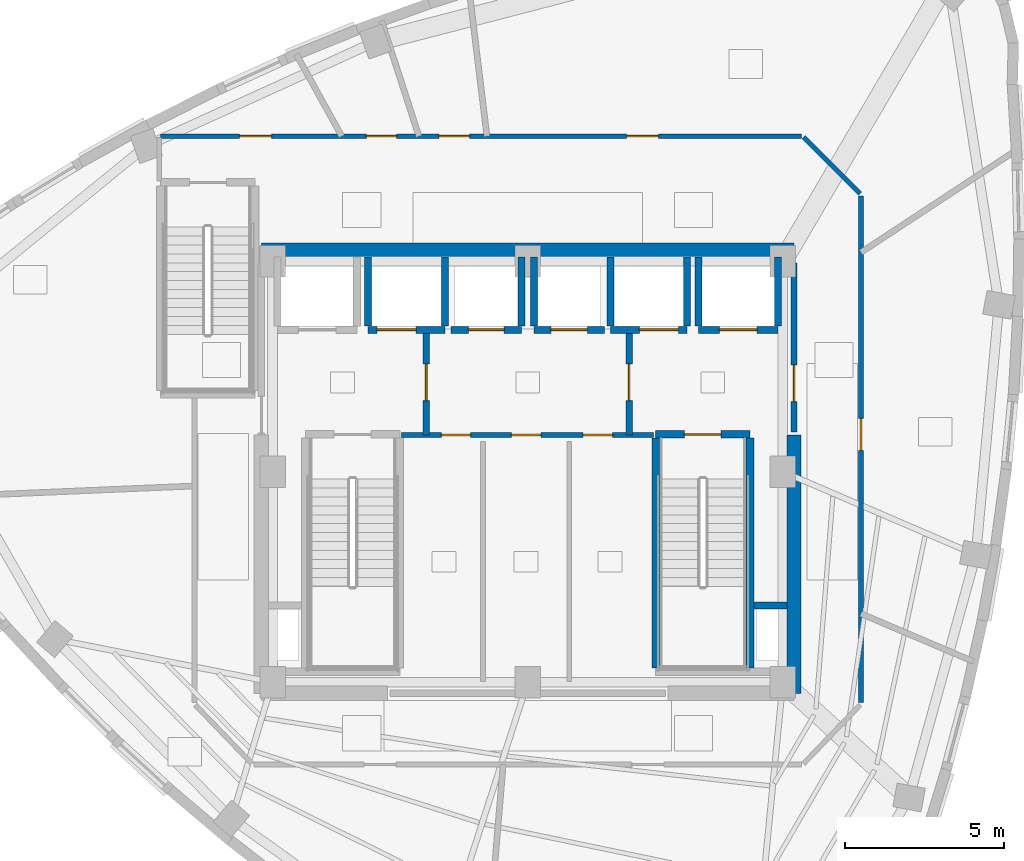
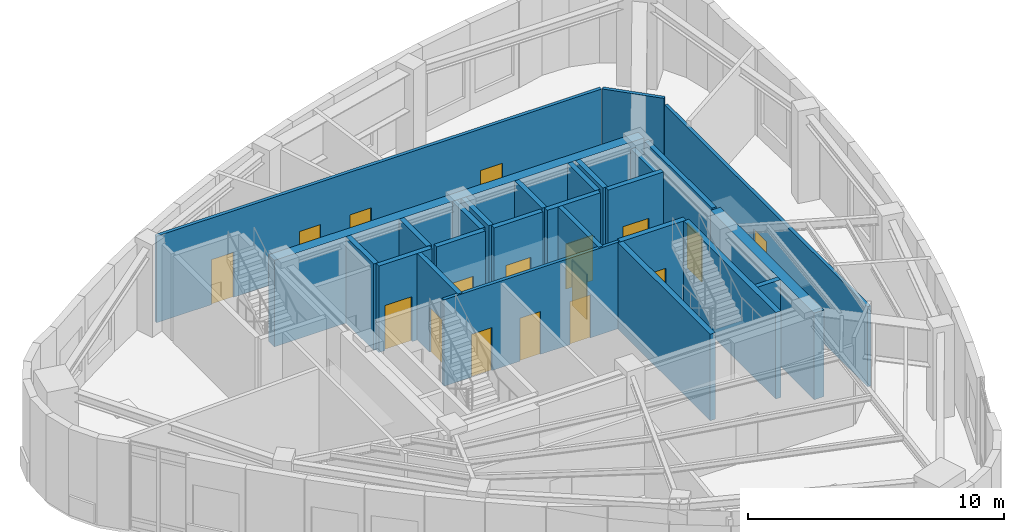
# One storey, part 9 of 14: 26 walls, 17 doors, 17 openings.
"""IFC4 building model written with IfcOpenShell, lengths in metres."""

from ifc_helpers import new_model, si_unit, direction, frame, frame_2d, origin, place, context, subcontext, project, spatial, rectangle, extrude, material, layer, layer_set, type_object, element, fill, save


model = new_model("IFC4")

# Units and contexts
model_context = context("Model", 3, precision=1e-05, world=origin(), true_north=direction((0.0, 1.0)))
body_context = subcontext(model_context, "Body", "Model", "MODEL_VIEW")
ifc_project = project(units=[si_unit("LENGTHUNIT", "METRE"), si_unit("AREAUNIT", "SQUARE_METRE"), si_unit("VOLUMEUNIT", "CUBIC_METRE"), si_unit("PLANEANGLEUNIT", "RADIAN"), si_unit("MASSUNIT", "GRAM", prefix="KILO")], contexts=[model_context])

# Site, building, storey
site_placement = place(None, origin())
site = spatial("IfcSite", under=ifc_project, at=site_placement, CompositionType="ELEMENT")
building_placement = place(site_placement, origin())
building = spatial("IfcBuilding", under=site, at=building_placement, Name="Ndelora Gate Hotel", CompositionType="ELEMENT")
storey_placement = place(building_placement, frame((0.0, 0.0, 281.60009765625)))
storey = spatial("IfcBuildingStorey", under=building, at=storey_placement, Name="L70", CompositionType="ELEMENT", Elevation=281.60009765625)

# Walls
ifc_material_1 = material(Name="Concrete C50/60", Category="concrete")
ifc_layer_1 = layer(ifc_material_1, 0.449951171875)
ifc_layer_set_1 = layer_set([ifc_layer_1], Name="Concrete C50/60")
wall_type_1 = type_object("IfcWallType", Name="WL-CORE-450", PredefinedType="SHEAR", material=ifc_layer_set_1)
wall_1_placement = place(storey_placement, frame((-8.35009765625, 6.949951171875, 0.0), z_axis=(0.0, 0.0, 1.0), x_axis=(1.0, 0.0, 0.0)))
element("IfcWall", 1, at=wall_1_placement, inside=storey, type_object=wall_type_1, Name="L70 Core Shear Wall N", PredefinedType="SHEAR", context=body_context, shape_type="SweptSolid", body=[
    extrude(rectangle(XDim=16.7001953125, YDim=0.449951171875, at=frame_2d((8.35009765625, 0.0))), origin(), (0.0, 0.0, 1.0), 4.1298828125),
])
wall_2_placement = place(storey_placement, frame((8.35009765625, -6.949951171875, 0.0), z_axis=(0.0, 0.0, 1.0), x_axis=(0.0, 1.0, 0.0)))
element("IfcWall", 2, at=wall_2_placement, inside=storey, type_object=wall_type_1, Name="L70 Core Shear Wall E", PredefinedType="SHEAR", context=body_context, shape_type="SweptSolid", body=[
    extrude(rectangle(XDim=8.099853515625, YDim=0.449951171875, at=frame_2d((4.0498046875, 0.0))), origin(), (0.0, 0.0, 1.0), 4.1298828125),
])

# Wall, opening, door
ifc_material_2 = material(Name="Concrete C40/50", Category="concrete")
ifc_layer_2 = layer(ifc_material_2, 0.199951171875)
ifc_layer_set_2 = layer_set([ifc_layer_2], Name="Concrete C40/50")
wall_type_2 = type_object("IfcWallType", Name="WL-FIRE-200", PredefinedType="PARTITIONING", material=ifc_layer_set_2)
wall_3_placement = place(storey_placement, frame((-3.179931640625, 1.14990234375, 0.0), z_axis=(0.0, 0.0, 1.0), x_axis=(0.0, 1.0, 0.0)))
wall_3 = element("IfcWall", 3, at=wall_3_placement, inside=storey, type_object=wall_type_2, Name="L70 Interior Wall IW-2", PredefinedType="PARTITIONING", context=body_context, shape_type="SweptSolid", body=[
    extrude(rectangle(XDim=3.300048828125, YDim=0.199951171875, at=frame_2d((1.64990234375, 0.0))), origin(), (0.0, 0.0, 1.0), 4.1298828125),
])
opening_1_placement = place(wall_3_placement, frame((1.080078125, 0.0, 0.0)))
opening_1 = element("IfcOpeningElement", 4, at=opening_1_placement, cuts=wall_3, Name="Opening FD1", PredefinedType="OPENING", context=body_context, shape_type="SweptSolid", body=[
    extrude(rectangle(XDim=1.14990234375, YDim=2.14990234375, at=frame_2d((0.574951171875, 1.074951171875))), frame((0.0, 0.10986328125, 0.0), z_axis=(0.0, -1.0, 0.0), x_axis=(1.0, 0.0, 0.0)), (0.0, 0.0, 1.0), 0.219970703125),
])
ifc_material_3 = material(Name="Fire-Rated Timber-Veneer Steel Core", Category="steel")
door_type_1 = type_object("IfcDoorType", Name="DR-FD60", OperationType="SINGLE_SWING_LEFT", PredefinedType="DOOR", material=ifc_material_3)
door_1_placement = place(opening_1_placement, origin())
door_1 = element("IfcDoor", 5, at=door_1_placement, inside=storey, type_object=door_type_1, Name="L70 Firefighting Lobby West Door", OperationType="SINGLE_SWING_RIGHT", OverallHeight=2.14990234375, OverallWidth=1.14990234375, PredefinedType="DOOR", context=body_context, shape_type="SweptSolid", body=[
    extrude(rectangle(XDim=1.14990234375, YDim=2.14990234375, at=frame_2d((0.574951171875, 1.074951171875))), frame((0.0, 0.02490234375, 0.0), z_axis=(0.0, -1.0, 0.0), x_axis=(1.0, 0.0, 0.0)), (0.0, 0.0, 1.0), 0.050048828125),
])
fill(opening_1, door_1)

wall_4_placement = place(storey_placement, frame((3.179931640625, 1.14990234375, 0.0), z_axis=(0.0, 0.0, 1.0), x_axis=(0.0, 1.0, 0.0)))
wall_4 = element("IfcWall", 6, at=wall_4_placement, inside=storey, type_object=wall_type_2, Name="L70 Interior Wall IW-2", PredefinedType="PARTITIONING", context=body_context, shape_type="SweptSolid", body=[
    extrude(rectangle(XDim=3.300048828125, YDim=0.199951171875, at=frame_2d((1.64990234375, 0.0))), origin(), (0.0, 0.0, 1.0), 4.1298828125),
])
opening_2_placement = place(wall_4_placement, frame((1.080078125, 0.0, 0.0)))
opening_2 = element("IfcOpeningElement", 7, at=opening_2_placement, cuts=wall_4, Name="Opening FD1", PredefinedType="OPENING", context=body_context, shape_type="SweptSolid", body=[
    extrude(rectangle(XDim=1.14990234375, YDim=2.14990234375, at=frame_2d((0.574951171875, 1.074951171875))), frame((0.0, 0.10986328125, 0.0), z_axis=(0.0, -1.0, 0.0), x_axis=(1.0, 0.0, 0.0)), (0.0, 0.0, 1.0), 0.219970703125),
])
door_2_placement = place(opening_2_placement, origin())
door_2 = element("IfcDoor", 8, at=door_2_placement, inside=storey, type_object=door_type_1, Name="L70 Firefighting Lobby East Door", OperationType="SINGLE_SWING_LEFT", OverallHeight=2.14990234375, OverallWidth=1.14990234375, PredefinedType="DOOR", context=body_context, shape_type="SweptSolid", body=[
    extrude(rectangle(XDim=1.14990234375, YDim=2.14990234375, at=frame_2d((0.574951171875, 1.074951171875))), frame((0.0, 0.02490234375, 0.0), z_axis=(0.0, -1.0, 0.0), x_axis=(1.0, 0.0, 0.0)), (0.0, 0.0, 1.0), 0.050048828125),
])
fill(opening_2, door_2)

wall_5_placement = place(storey_placement, frame((8.35009765625, 1.25, 0.0), z_axis=(0.0, 0.0, 1.0), x_axis=(0.0, 1.0, 0.0)))
wall_5 = element("IfcWall", 9, at=wall_5_placement, inside=storey, type_object=wall_type_2, Name="L70 Interior Wall IW-2", PredefinedType="PARTITIONING", context=body_context, shape_type="SweptSolid", body=[
    extrude(rectangle(XDim=5.300048828125, YDim=0.199951171875, at=frame_2d((2.64990234375, 0.0))), origin(), (0.0, 0.0, 1.0), 4.1298828125),
])
opening_3_placement = place(wall_5_placement, frame((0.949951171875, 0.0, 0.0)))
opening_3 = element("IfcOpeningElement", 10, at=opening_3_placement, cuts=wall_5, Name="Opening FD1", PredefinedType="OPENING", context=body_context, shape_type="SweptSolid", body=[
    extrude(rectangle(XDim=1.14990234375, YDim=2.14990234375, at=frame_2d((0.574951171875, 1.074951171875))), frame((0.0, 0.10986328125, 0.0), z_axis=(0.0, -1.0, 0.0), x_axis=(1.0, 0.0, 0.0)), (0.0, 0.0, 1.0), 0.219970703125),
])
door_3_placement = place(opening_3_placement, origin())
door_3 = element("IfcDoor", 11, at=door_3_placement, inside=storey, type_object=door_type_1, Name="L70 Firefighting Lobby East Corridor Door", OperationType="SINGLE_SWING_RIGHT", OverallHeight=2.14990234375, OverallWidth=1.14990234375, PredefinedType="DOOR", context=body_context, shape_type="SweptSolid", body=[
    extrude(rectangle(XDim=1.14990234375, YDim=2.14990234375, at=frame_2d((0.574951171875, 1.074951171875))), frame((0.0, 0.02490234375, 0.0), z_axis=(0.0, -1.0, 0.0), x_axis=(1.0, 0.0, 0.0)), (0.0, 0.0, 1.0), 0.050048828125),
])
fill(opening_3, door_3)

# Wall, openings, doors
ifc_material_4 = material(Name="Fire-Rated Gypsum Stud Partition", Category="gypsum")
ifc_layer_3 = layer(ifc_material_4, 0.14990234375)
ifc_layer_set_3 = layer_set([ifc_layer_3], Name="Fire-Rated Gypsum Stud Partition")
wall_type_3 = type_object("IfcWallType", Name="WL-PART-150", PredefinedType="PARTITIONING", material=ifc_layer_set_3)
wall_6_placement = place(storey_placement, frame((3.949951171875, 1.14990234375, 0.0), z_axis=(0.0, 0.0, 1.0), x_axis=(-1.0, 0.0, 0.0)))
wall_6 = element("IfcWall", 12, at=wall_6_placement, inside=storey, type_object=wall_type_3, Name="L70 Interior Wall IW-5", PredefinedType="PARTITIONING", context=body_context, shape_type="SweptSolid", body=[
    extrude(rectangle(XDim=7.89990234375, YDim=0.14990234375, at=frame_2d((3.949951171875, 0.0))), origin(), (0.0, 0.0, 1.0), 4.1298828125),
])
opening_4_placement = place(wall_6_placement, frame((5.739990234375, 0.0, 0.0)))
opening_4 = element("IfcOpeningElement", 13, at=opening_4_placement, cuts=wall_6, Name="Opening D04", PredefinedType="OPENING", context=body_context, shape_type="SweptSolid", body=[
    extrude(rectangle(XDim=0.919921875, YDim=2.050048828125, at=frame_2d((0.4599609375, 1.02490234375))), frame((0.0, 0.0849609375, 0.0), z_axis=(0.0, -1.0, 0.0), x_axis=(1.0, 0.0, 0.0)), (0.0, 0.0, 1.0), 0.169921875),
])
opening_5_placement = place(wall_6_placement, frame((3.5400390625, 0.0, 0.0)))
opening_5 = element("IfcOpeningElement", 14, at=opening_5_placement, cuts=wall_6, Name="Opening D04", PredefinedType="OPENING", context=body_context, shape_type="SweptSolid", body=[
    extrude(rectangle(XDim=0.919921875, YDim=2.050048828125, at=frame_2d((0.4599609375, 1.02490234375))), frame((0.0, 0.0849609375, 0.0), z_axis=(0.0, -1.0, 0.0), x_axis=(1.0, 0.0, 0.0)), (0.0, 0.0, 1.0), 0.169921875),
])
opening_6_placement = place(wall_6_placement, frame((1.2900390625, 0.0, 0.0)))
opening_6 = element("IfcOpeningElement", 15, at=opening_6_placement, cuts=wall_6, Name="Opening D04", PredefinedType="OPENING", context=body_context, shape_type="SweptSolid", body=[
    extrude(rectangle(XDim=0.919921875, YDim=2.050048828125, at=frame_2d((0.4599609375, 1.02490234375))), frame((0.0, 0.0849609375, 0.0), z_axis=(0.0, -1.0, 0.0), x_axis=(1.0, 0.0, 0.0)), (0.0, 0.0, 1.0), 0.169921875),
])
ifc_material_5 = material(Name="Painted Steel Core Service Door", Category="steel")
door_type_2 = type_object("IfcDoorType", Name="DR-SER-920", OperationType="SINGLE_SWING_LEFT", PredefinedType="DOOR", material=ifc_material_5)
door_4_placement = place(opening_4_placement, origin())
door_4 = element("IfcDoor", 16, at=door_4_placement, inside=storey, type_object=door_type_2, Name="L70 Core Cleaners Store Door", OperationType="SINGLE_SWING_LEFT", OverallHeight=2.050048828125, OverallWidth=0.919921875, PredefinedType="DOOR", context=body_context, shape_type="SweptSolid", body=[
    extrude(rectangle(XDim=0.919921875, YDim=2.050048828125, at=frame_2d((0.4599609375, 1.02490234375))), frame((0.0, 0.02490234375, 0.0), z_axis=(0.0, -1.0, 0.0), x_axis=(1.0, 0.0, 0.0)), (0.0, 0.0, 1.0), 0.050048828125),
])
fill(opening_4, door_4)
door_5_placement = place(opening_5_placement, origin())
door_5 = element("IfcDoor", 17, at=door_5_placement, inside=storey, type_object=door_type_2, Name="L70 Core Telecoms Equipment Room Door", OperationType="SINGLE_SWING_RIGHT", OverallHeight=2.050048828125, OverallWidth=0.919921875, PredefinedType="DOOR", context=body_context, shape_type="SweptSolid", body=[
    extrude(rectangle(XDim=0.919921875, YDim=2.050048828125, at=frame_2d((0.4599609375, 1.02490234375))), frame((0.0, 0.02490234375, 0.0), z_axis=(0.0, -1.0, 0.0), x_axis=(1.0, 0.0, 0.0)), (0.0, 0.0, 1.0), 0.050048828125),
])
fill(opening_5, door_5)
door_6_placement = place(opening_6_placement, origin())
door_6 = element("IfcDoor", 18, at=door_6_placement, inside=storey, type_object=door_type_2, Name="L70 Core Electrical Metering Room Door", OperationType="SINGLE_SWING_LEFT", OverallHeight=2.050048828125, OverallWidth=0.919921875, PredefinedType="DOOR", context=body_context, shape_type="SweptSolid", body=[
    extrude(rectangle(XDim=0.919921875, YDim=2.050048828125, at=frame_2d((0.4599609375, 1.02490234375))), frame((0.0, 0.02490234375, 0.0), z_axis=(0.0, -1.0, 0.0), x_axis=(1.0, 0.0, 0.0)), (0.0, 0.0, 1.0), 0.050048828125),
])
fill(opening_6, door_6)

# Wall, opening, door
wall_7_placement = place(storey_placement, frame((10.449951171875, 8.64990234375, 0.0), z_axis=(0.0, 0.0, 1.0), x_axis=(0.0, -1.0, 0.0)))
wall_7 = element("IfcWall", 19, at=wall_7_placement, inside=storey, type_object=wall_type_3, Name="L70 Interior Wall IW-5", PredefinedType="PARTITIONING", context=body_context, shape_type="SweptSolid", body=[
    extrude(rectangle(XDim=15.889892578125, YDim=0.14990234375, at=frame_2d((7.94482421875, 0.0))), origin(), (0.0, 0.0, 1.0), 3.829833984375),
])
opening_7_placement = place(wall_7_placement, frame((6.978271484375, 0.0, 0.0)))
opening_7 = element("IfcOpeningElement", 20, at=opening_7_placement, cuts=wall_7, Name="Opening D01", PredefinedType="OPENING", context=body_context, shape_type="SweptSolid", body=[
    extrude(rectangle(XDim=1.0, YDim=2.14990234375, at=frame_2d((0.5, 1.074951171875))), frame((0.0, 0.0849609375, 0.0), z_axis=(0.0, -1.0, 0.0), x_axis=(1.0, 0.0, 0.0)), (0.0, 0.0, 1.0), 0.169921875),
])
ifc_material_6 = material(Name="Acoustic Hardwood Guest Entrance Door", Category="wood")
door_type_3 = type_object("IfcDoorType", Name="DR-COR-1000", OperationType="SINGLE_SWING_LEFT", PredefinedType="DOOR", material=ifc_material_6)
door_7_placement = place(opening_7_placement, origin())
door_7 = element("IfcDoor", 21, at=door_7_placement, inside=storey, type_object=door_type_3, Name="L70 Mixology Service Kitchen Entrance Door", OperationType="SINGLE_SWING_RIGHT", OverallHeight=2.14990234375, OverallWidth=1.0, PredefinedType="DOOR", context=body_context, shape_type="SweptSolid", body=[
    extrude(rectangle(XDim=1.0, YDim=2.14990234375, at=frame_2d((0.5, 1.074951171875))), frame((0.0, 0.02490234375, 0.0), z_axis=(0.0, -1.0, 0.0), x_axis=(1.0, 0.0, 0.0)), (0.0, 0.0, 1.0), 0.050048828125),
])
fill(opening_7, door_7)

# Wall
wall_8_placement = place(storey_placement, frame((8.648193359375, 10.49169921875, 0.0), z_axis=(0.0, 0.0, 1.0), x_axis=(0.707106781187, -0.707106781187, 0.0)))
element("IfcWall", 22, at=wall_8_placement, inside=storey, type_object=wall_type_3, Name="L70 Interior Wall IW-5", PredefinedType="PARTITIONING", context=body_context, shape_type="SweptSolid", body=[
    extrude(rectangle(XDim=2.508056640625, YDim=0.14990234375, at=frame_2d((1.25390625, 0.0))), origin(), (0.0, 0.0, 1.0), 4.1298828125),
])

# Wall, openings, doors
wall_9_placement = place(storey_placement, frame((-11.510009765625, 10.52001953125, 0.0), z_axis=(0.0, 0.0, 1.0), x_axis=(1.0, 0.0, 0.0)))
wall_9 = element("IfcWall", 23, at=wall_9_placement, inside=storey, type_object=wall_type_3, Name="L70 Interior Wall IW-5", PredefinedType="PARTITIONING", context=body_context, shape_type="SweptSolid", body=[
    extrude(rectangle(XDim=20.090087890625, YDim=0.14990234375, at=frame_2d((10.044921875, 0.0))), origin(), (0.0, 0.0, 1.0), 4.1298828125),
])
opening_8_placement = place(wall_9_placement, frame((6.4521484375, 0.0, 0.0)))
opening_8 = element("IfcOpeningElement", 24, at=opening_8_placement, cuts=wall_9, Name="Opening D05", PredefinedType="OPENING", context=body_context, shape_type="SweptSolid", body=[
    extrude(rectangle(XDim=0.949951171875, YDim=2.10009765625, at=frame_2d((0.47509765625, 1.050048828125))), frame((0.0, 0.0849609375, 0.0), z_axis=(0.0, -1.0, 0.0), x_axis=(1.0, 0.0, 0.0)), (0.0, 0.0, 1.0), 0.169921875),
])
opening_9_placement = place(wall_9_placement, frame((8.73583984375, 0.0, 0.0)))
opening_9 = element("IfcOpeningElement", 25, at=opening_9_placement, cuts=wall_9, Name="Opening D05", PredefinedType="OPENING", context=body_context, shape_type="SweptSolid", body=[
    extrude(rectangle(XDim=0.949951171875, YDim=2.10009765625, at=frame_2d((0.47509765625, 1.050048828125))), frame((0.0, 0.0849609375, 0.0), z_axis=(0.0, -1.0, 0.0), x_axis=(1.0, 0.0, 0.0)), (0.0, 0.0, 1.0), 0.169921875),
])
opening_10_placement = place(wall_9_placement, frame((2.479248046875, 0.0, 0.0)))
opening_10 = element("IfcOpeningElement", 26, at=opening_10_placement, cuts=wall_9, Name="Opening D01", PredefinedType="OPENING", context=body_context, shape_type="SweptSolid", body=[
    extrude(rectangle(XDim=1.0, YDim=2.14990234375, at=frame_2d((0.5, 1.074951171875))), frame((0.0, 0.0849609375, 0.0), z_axis=(0.0, -1.0, 0.0), x_axis=(1.0, 0.0, 0.0)), (0.0, 0.0, 1.0), 0.169921875),
])
opening_11_placement = place(wall_9_placement, frame((14.610107421875, 0.0, 0.0)))
opening_11 = element("IfcOpeningElement", 27, at=opening_11_placement, cuts=wall_9, Name="Opening D01", PredefinedType="OPENING", context=body_context, shape_type="SweptSolid", body=[
    extrude(rectangle(XDim=1.0, YDim=2.14990234375, at=frame_2d((0.5, 1.074951171875))), frame((0.0, 0.0849609375, 0.0), z_axis=(0.0, -1.0, 0.0), x_axis=(1.0, 0.0, 0.0)), (0.0, 0.0, 1.0), 0.169921875),
])
ifc_material_7 = material(Name="Accessible Restroom Wide-Clearance Door", Category="wood")
door_type_4 = type_object("IfcDoorType", Name="DR-ACC-950", OperationType="SINGLE_SWING_LEFT", PredefinedType="DOOR", material=ifc_material_7)
door_8_placement = place(opening_8_placement, origin())
door_8 = element("IfcDoor", 28, at=door_8_placement, inside=storey, type_object=door_type_4, Name="L70 Accessible WC Entrance Door", OperationType="SINGLE_SWING_RIGHT", OverallHeight=2.10009765625, OverallWidth=0.949951171875, PredefinedType="DOOR", context=body_context, shape_type="SweptSolid", body=[
    extrude(rectangle(XDim=0.949951171875, YDim=2.10009765625, at=frame_2d((0.47509765625, 1.050048828125))), frame((0.0, 0.02490234375, 0.0), z_axis=(0.0, -1.0, 0.0), x_axis=(1.0, 0.0, 0.0)), (0.0, 0.0, 1.0), 0.050048828125),
])
fill(opening_8, door_8)
door_9_placement = place(opening_9_placement, origin())
door_9 = element("IfcDoor", 29, at=door_9_placement, inside=storey, type_object=door_type_4, Name="L70 Female Public Restroom Entrance Door", OperationType="SINGLE_SWING_LEFT", OverallHeight=2.10009765625, OverallWidth=0.949951171875, PredefinedType="DOOR", context=body_context, shape_type="SweptSolid", body=[
    extrude(rectangle(XDim=0.949951171875, YDim=2.10009765625, at=frame_2d((0.47509765625, 1.050048828125))), frame((0.0, 0.02490234375, 0.0), z_axis=(0.0, -1.0, 0.0), x_axis=(1.0, 0.0, 0.0)), (0.0, 0.0, 1.0), 0.050048828125),
])
fill(opening_9, door_9)
door_10_placement = place(opening_10_placement, origin())
door_10 = element("IfcDoor", 30, at=door_10_placement, inside=storey, type_object=door_type_3, Name="L70 Sky Garden Tea Dining Room Entrance Door", OperationType="SINGLE_SWING_LEFT", OverallHeight=2.14990234375, OverallWidth=1.0, PredefinedType="DOOR", context=body_context, shape_type="SweptSolid", body=[
    extrude(rectangle(XDim=1.0, YDim=2.14990234375, at=frame_2d((0.5, 1.074951171875))), frame((0.0, 0.02490234375, 0.0), z_axis=(0.0, -1.0, 0.0), x_axis=(1.0, 0.0, 0.0)), (0.0, 0.0, 1.0), 0.050048828125),
])
fill(opening_10, door_10)
door_11_placement = place(opening_11_placement, origin())
door_11 = element("IfcDoor", 31, at=door_11_placement, inside=storey, type_object=door_type_3, Name="L70 Acoustic Jazz Library Entrance Door", OperationType="SINGLE_SWING_LEFT", OverallHeight=2.14990234375, OverallWidth=1.0, PredefinedType="DOOR", context=body_context, shape_type="SweptSolid", body=[
    extrude(rectangle(XDim=1.0, YDim=2.14990234375, at=frame_2d((0.5, 1.074951171875))), frame((0.0, 0.02490234375, 0.0), z_axis=(0.0, -1.0, 0.0), x_axis=(1.0, 0.0, 0.0)), (0.0, 0.0, 1.0), 0.050048828125),
])
fill(opening_11, door_11)

# Wall
ifc_layer_4 = layer(ifc_material_2, 0.219970703125)
ifc_layer_set_4 = layer_set([ifc_layer_4], Name="Concrete C40/50")
wall_type_4 = type_object("IfcWallType", Name="WL-SHAFT-220", PredefinedType="PARTITIONING", material=ifc_layer_set_4)
wall_10_placement = place(storey_placement, frame((7.090087890625, -4.199951171875, 0.0), z_axis=(0.0, 0.0, 1.0), x_axis=(1.0, 0.0, 0.0)))
element("IfcWall", 32, at=wall_10_placement, inside=storey, type_object=wall_type_4, Name="L70 Interior Wall IW-1", PredefinedType="PARTITIONING", context=body_context, shape_type="SweptSolid", body=[
    extrude(rectangle(XDim=1.034912109375, YDim=0.219970703125, at=frame_2d((0.517578125, 0.0))), origin(), (0.0, 0.0, 1.0), 4.1298828125),
])

# Wall, opening, door
wall_11_placement = place(storey_placement, frame((5.35009765625, 4.449951171875, 0.0), z_axis=(0.0, 0.0, 1.0), x_axis=(1.0, 0.0, 0.0)))
wall_11 = element("IfcWall", 33, at=wall_11_placement, inside=storey, type_object=wall_type_4, Name="L70 Interior Wall IW-1", PredefinedType="PARTITIONING", context=body_context, shape_type="SweptSolid", body=[
    extrude(rectangle(XDim=2.5, YDim=0.219970703125, at=frame_2d((1.25, 0.0))), origin(), (0.0, 0.0, 1.0), 4.1298828125),
])
opening_12_placement = place(wall_11_placement, frame((0.659912109375, 0.0, 0.0)))
opening_12 = element("IfcOpeningElement", 34, at=opening_12_placement, cuts=wall_11, Name="Opening LD5", PredefinedType="OPENING", context=body_context, shape_type="SweptSolid", body=[
    extrude(rectangle(XDim=1.179931640625, YDim=2.14990234375, at=frame_2d((0.58984375, 1.074951171875))), frame((0.0, 0.1201171875, 0.0), z_axis=(0.0, -1.0, 0.0), x_axis=(1.0, 0.0, 0.0)), (0.0, 0.0, 1.0), 0.239990234375),
])
ifc_material_8 = material(Name="Firefighting Lift Stainless Sliding Landing Door", Category="metal")
door_type_5 = type_object("IfcDoorType", Name="DR-LD5", OperationType="DOUBLE_DOOR_SLIDING", PredefinedType="DOOR", material=ifc_material_8)
door_12_placement = place(opening_12_placement, origin())
door_12 = element("IfcDoor", 35, at=door_12_placement, inside=storey, type_object=door_type_5, Name="L70 Lift Landing Sliding Door FFL2", OperationType="DOUBLE_DOOR_SLIDING", OverallHeight=2.14990234375, OverallWidth=1.179931640625, PredefinedType="DOOR", context=body_context, shape_type="SweptSolid", body=[
    extrude(rectangle(XDim=1.179931640625, YDim=2.14990234375, at=frame_2d((0.58984375, 1.074951171875))), frame((0.0, 0.02490234375, 0.0), z_axis=(0.0, -1.0, 0.0), x_axis=(1.0, 0.0, 0.0)), (0.0, 0.0, 1.0), 0.050048828125),
])
fill(opening_12, door_12)

# Walls
wall_12_placement = place(storey_placement, frame((5.35009765625, 4.570068359375, 0.0), z_axis=(0.0, 0.0, 1.0), x_axis=(0.0, 1.0, 0.0)))
element("IfcWall", 36, at=wall_12_placement, inside=storey, type_object=wall_type_4, Name="L70 Interior Wall IW-1", PredefinedType="PARTITIONING", context=body_context, shape_type="SweptSolid", body=[
    extrude(rectangle(XDim=2.155029296875, YDim=0.219970703125, at=frame_2d((1.07763671875, 0.0))), origin(), (0.0, 0.0, 1.0), 4.1298828125),
])
wall_13_placement = place(storey_placement, frame((7.85009765625, 4.570068359375, 0.0), z_axis=(0.0, 0.0, 1.0), x_axis=(0.0, 1.0, 0.0)))
element("IfcWall", 37, at=wall_13_placement, inside=storey, type_object=wall_type_4, Name="L70 Interior Wall IW-1", PredefinedType="PARTITIONING", context=body_context, shape_type="SweptSolid", body=[
    extrude(rectangle(XDim=2.155029296875, YDim=0.219970703125, at=frame_2d((1.07763671875, 0.0))), origin(), (0.0, 0.0, 1.0), 3.809814453125),
])

# Wall, opening, door
wall_14_placement = place(storey_placement, frame((-5.0, 4.449951171875, 0.0), z_axis=(0.0, 0.0, 1.0), x_axis=(1.0, 0.0, 0.0)))
wall_14 = element("IfcWall", 38, at=wall_14_placement, inside=storey, type_object=wall_type_4, Name="L70 Interior Wall IW-1", PredefinedType="PARTITIONING", context=body_context, shape_type="SweptSolid", body=[
    extrude(rectangle(XDim=2.39990234375, YDim=0.219970703125, at=frame_2d((1.199951171875, 0.0))), origin(), (0.0, 0.0, 1.0), 4.1298828125),
])
opening_13_placement = place(wall_14_placement, frame((0.280029296875, 0.0, 0.0)))
opening_13 = element("IfcOpeningElement", 39, at=opening_13_placement, cuts=wall_14, Name="Opening LD6", PredefinedType="OPENING", context=body_context, shape_type="SweptSolid", body=[
    extrude(rectangle(XDim=1.219970703125, YDim=2.14990234375, at=frame_2d((0.60986328125, 1.074951171875))), frame((0.0, 0.1201171875, 0.0), z_axis=(0.0, -1.0, 0.0), x_axis=(1.0, 0.0, 0.0)), (0.0, 0.0, 1.0), 0.239990234375),
])
ifc_material_9 = material(Name="Heavy-Duty Service Lift Sliding Landing Door", Category="wood")
door_type_6 = type_object("IfcDoorType", Name="DR-LD6", OperationType="DOUBLE_DOOR_SLIDING", PredefinedType="DOOR", material=ifc_material_9)
door_13_placement = place(opening_13_placement, origin())
door_13 = element("IfcDoor", 40, at=door_13_placement, inside=storey, type_object=door_type_6, Name="L70 Lift Landing Sliding Door SVL1", OperationType="DOUBLE_DOOR_SLIDING", OverallHeight=2.14990234375, OverallWidth=1.219970703125, PredefinedType="DOOR", context=body_context, shape_type="SweptSolid", body=[
    extrude(rectangle(XDim=1.219970703125, YDim=2.14990234375, at=frame_2d((0.60986328125, 1.074951171875))), frame((0.0, 0.02490234375, 0.0), z_axis=(0.0, -1.0, 0.0), x_axis=(1.0, 0.0, 0.0)), (0.0, 0.0, 1.0), 0.050048828125),
])
fill(opening_13, door_13)

# Walls
for number, where, z_axis, x_axis, name in (
    (41, (-5.0, 4.570068359375, 0.0), (0.0, 0.0, 1.0), (0.0, 1.0, 0.0), "L70 Interior Wall IW-1"),
    (42, (-2.60009765625, 4.570068359375, 0.0), (0.0, 0.0, 1.0), (0.0, 1.0, 0.0), "L70 Interior Wall IW-1"),
):
    element("IfcWall", number, at=place(storey_placement, frame(where, z_axis=z_axis, x_axis=x_axis)), inside=storey, type_object=wall_type_4, Name=name, PredefinedType="PARTITIONING", context=body_context, shape_type="SweptSolid", body=[
        extrude(rectangle(XDim=2.155029296875, YDim=0.219970703125, at=frame_2d((1.07763671875, 0.0))), origin(), (0.0, 0.0, 1.0), 4.1298828125),
    ])

# Wall, opening, door
wall_15_placement = place(storey_placement, frame((2.60009765625, 4.449951171875, 0.0), z_axis=(0.0, 0.0, 1.0), x_axis=(1.0, 0.0, 0.0)))
wall_15 = element("IfcWall", 43, at=wall_15_placement, inside=storey, type_object=wall_type_4, Name="L70 Interior Wall IW-1", PredefinedType="PARTITIONING", context=body_context, shape_type="SweptSolid", body=[
    extrude(rectangle(XDim=2.39990234375, YDim=0.219970703125, at=frame_2d((1.199951171875, 0.0))), origin(), (0.0, 0.0, 1.0), 4.1298828125),
])
opening_14_placement = place(wall_15_placement, frame((0.89990234375, 0.0, 0.0)))
opening_14 = element("IfcOpeningElement", 44, at=opening_14_placement, cuts=wall_15, Name="Opening LD6", PredefinedType="OPENING", context=body_context, shape_type="SweptSolid", body=[
    extrude(rectangle(XDim=1.219970703125, YDim=2.14990234375, at=frame_2d((0.60986328125, 1.074951171875))), frame((0.0, 0.1201171875, 0.0), z_axis=(0.0, -1.0, 0.0), x_axis=(1.0, 0.0, 0.0)), (0.0, 0.0, 1.0), 0.239990234375),
])
door_14_placement = place(opening_14_placement, origin())
door_14 = element("IfcDoor", 45, at=door_14_placement, inside=storey, type_object=door_type_6, Name="L70 Lift Landing Sliding Door SVL2", OperationType="DOUBLE_DOOR_SLIDING", OverallHeight=2.14990234375, OverallWidth=1.219970703125, PredefinedType="DOOR", context=body_context, shape_type="SweptSolid", body=[
    extrude(rectangle(XDim=1.219970703125, YDim=2.14990234375, at=frame_2d((0.60986328125, 1.074951171875))), frame((0.0, 0.02490234375, 0.0), z_axis=(0.0, -1.0, 0.0), x_axis=(1.0, 0.0, 0.0)), (0.0, 0.0, 1.0), 0.050048828125),
])
fill(opening_14, door_14)

# Walls
for number, where, z_axis, x_axis, name in (
    (46, (2.60009765625, 4.570068359375, 0.0), (0.0, 0.0, 1.0), (0.0, 1.0, 0.0), "L70 Interior Wall IW-1"),
    (47, (5.0, 4.570068359375, 0.0), (0.0, 0.0, 1.0), (0.0, 1.0, 0.0), "L70 Interior Wall IW-1"),
):
    element("IfcWall", number, at=place(storey_placement, frame(where, z_axis=z_axis, x_axis=x_axis)), inside=storey, type_object=wall_type_4, Name=name, PredefinedType="PARTITIONING", context=body_context, shape_type="SweptSolid", body=[
        extrude(rectangle(XDim=2.155029296875, YDim=0.219970703125, at=frame_2d((1.07763671875, 0.0))), origin(), (0.0, 0.0, 1.0), 4.1298828125),
    ])

# Wall, opening, door
wall_16_placement = place(storey_placement, frame((-2.39990234375, 4.449951171875, 0.0), z_axis=(0.0, 0.0, 1.0), x_axis=(1.0, 0.0, 0.0)))
wall_16 = element("IfcWall", 48, at=wall_16_placement, inside=storey, type_object=wall_type_4, Name="L70 Interior Wall IW-1", PredefinedType="PARTITIONING", context=body_context, shape_type="SweptSolid", body=[
    extrude(rectangle(XDim=2.199951171875, YDim=0.219970703125, at=frame_2d((1.10009765625, 0.0))), origin(), (0.0, 0.0, 1.0), 4.1298828125),
])
opening_15_placement = place(wall_16_placement, frame((0.5400390625, 0.0, 0.0)))
opening_15 = element("IfcOpeningElement", 49, at=opening_15_placement, cuts=wall_16, Name="Opening LD3", PredefinedType="OPENING", context=body_context, shape_type="SweptSolid", body=[
    extrude(rectangle(XDim=1.1201171875, YDim=2.14990234375, at=frame_2d((0.56005859375, 1.074951171875))), frame((0.0, 0.1201171875, 0.0), z_axis=(0.0, -1.0, 0.0), x_axis=(1.0, 0.0, 0.0)), (0.0, 0.0, 1.0), 0.239990234375),
])
ifc_material_10 = material(Name="Brushed Bronze Stainless Lift Landing Door", Category="metal")
door_type_7 = type_object("IfcDoorType", Name="DR-LD3", OperationType="DOUBLE_DOOR_SLIDING", PredefinedType="DOOR", material=ifc_material_10)
door_15_placement = place(opening_15_placement, origin())
door_15 = element("IfcDoor", 50, at=door_15_placement, inside=storey, type_object=door_type_7, Name="L70 Lift Landing Sliding Door P3A", OperationType="DOUBLE_DOOR_SLIDING", OverallHeight=2.14990234375, OverallWidth=1.1201171875, PredefinedType="DOOR", context=body_context, shape_type="SweptSolid", body=[
    extrude(rectangle(XDim=1.1201171875, YDim=2.14990234375, at=frame_2d((0.56005859375, 1.074951171875))), frame((0.0, 0.02490234375, 0.0), z_axis=(0.0, -1.0, 0.0), x_axis=(1.0, 0.0, 0.0)), (0.0, 0.0, 1.0), 0.050048828125),
])
fill(opening_15, door_15)

# Wall
wall_17_placement = place(storey_placement, frame((-0.199951171875, 4.570068359375, 0.0), z_axis=(0.0, 0.0, 1.0), x_axis=(0.0, 1.0, 0.0)))
element("IfcWall", 51, at=wall_17_placement, inside=storey, type_object=wall_type_4, Name="L70 Interior Wall IW-1", PredefinedType="PARTITIONING", context=body_context, shape_type="SweptSolid", body=[
    extrude(rectangle(XDim=2.155029296875, YDim=0.219970703125, at=frame_2d((1.07763671875, 0.0))), origin(), (0.0, 0.0, 1.0), 4.1298828125),
])

# Wall, opening, door
wall_18_placement = place(storey_placement, frame((0.199951171875, 4.449951171875, 0.0), z_axis=(0.0, 0.0, 1.0), x_axis=(1.0, 0.0, 0.0)))
wall_18 = element("IfcWall", 52, at=wall_18_placement, inside=storey, type_object=wall_type_4, Name="L70 Interior Wall IW-1", PredefinedType="PARTITIONING", context=body_context, shape_type="SweptSolid", body=[
    extrude(rectangle(XDim=2.199951171875, YDim=0.219970703125, at=frame_2d((1.10009765625, 0.0))), origin(), (0.0, 0.0, 1.0), 4.1298828125),
])
opening_16_placement = place(wall_18_placement, frame((0.530029296875, 0.0, 0.0)))
opening_16 = element("IfcOpeningElement", 53, at=opening_16_placement, cuts=wall_18, Name="Opening LD4", PredefinedType="OPENING", context=body_context, shape_type="SweptSolid", body=[
    extrude(rectangle(XDim=1.139892578125, YDim=2.14990234375, at=frame_2d((0.56982421875, 1.074951171875))), frame((0.0, 0.1201171875, 0.0), z_axis=(0.0, -1.0, 0.0), x_axis=(1.0, 0.0, 0.0)), (0.0, 0.0, 1.0), 0.239990234375),
])
door_type_8 = type_object("IfcDoorType", Name="DR-LD4", OperationType="DOUBLE_DOOR_SLIDING", PredefinedType="DOOR", material=ifc_material_10)
door_16_placement = place(opening_16_placement, origin())
door_16 = element("IfcDoor", 54, at=door_16_placement, inside=storey, type_object=door_type_8, Name="L70 Lift Landing Sliding Door EX1", OperationType="DOUBLE_DOOR_SLIDING", OverallHeight=2.14990234375, OverallWidth=1.139892578125, PredefinedType="DOOR", context=body_context, shape_type="SweptSolid", body=[
    extrude(rectangle(XDim=1.139892578125, YDim=2.14990234375, at=frame_2d((0.56982421875, 1.074951171875))), frame((0.0, 0.02490234375, 0.0), z_axis=(0.0, -1.0, 0.0), x_axis=(1.0, 0.0, 0.0)), (0.0, 0.0, 1.0), 0.050048828125),
])
fill(opening_16, door_16)

# Walls
wall_19_placement = place(storey_placement, frame((0.199951171875, 4.570068359375, 0.0), z_axis=(0.0, 0.0, 1.0), x_axis=(0.0, 1.0, 0.0)))
element("IfcWall", 55, at=wall_19_placement, inside=storey, type_object=wall_type_4, Name="L70 Interior Wall IW-1", PredefinedType="PARTITIONING", context=body_context, shape_type="SweptSolid", body=[
    extrude(rectangle(XDim=2.155029296875, YDim=0.219970703125, at=frame_2d((1.07763671875, 0.0))), origin(), (0.0, 0.0, 1.0), 4.1298828125),
])
ifc_layer_5 = layer(ifc_material_1, 0.239990234375)
ifc_layer_set_5 = layer_set([ifc_layer_5], Name="Concrete C50/60")
wall_type_5 = type_object("IfcWallType", Name="WL-STAIR-240", PredefinedType="SHEAR", material=ifc_layer_set_5)
for number, where, z_axis, x_axis, name in (
    (56, (4.010009765625, -6.159912109375, 0.0), (0.0, 0.0, 1.0), (0.0, 1.0, 0.0), "L70 Stair Core Shear Wall SW-ST"),
    (57, (6.969970703125, -6.159912109375, 0.0), (0.0, 0.0, 1.0), (0.0, 1.0, 0.0), "L70 Stair Core Shear Wall SW-ST"),
):
    element("IfcWall", number, at=place(storey_placement, frame(where, z_axis=z_axis, x_axis=x_axis)), inside=storey, type_object=wall_type_5, Name=name, PredefinedType="SHEAR", context=body_context, shape_type="SweptSolid", body=[
        extrude(rectangle(XDim=7.219970703125, YDim=0.239990234375, at=frame_2d((3.60986328125, 0.0))), origin(), (0.0, 0.0, 1.0), 4.1298828125),
    ])

# Wall, opening, door
wall_20_placement = place(storey_placement, frame((4.010009765625, 1.169921875, 0.0), z_axis=(0.0, 0.0, 1.0), x_axis=(1.0, 0.0, 0.0)))
wall_20 = element("IfcWall", 58, at=wall_20_placement, inside=storey, type_object=wall_type_5, Name="L70 Stair Core Shear Wall SW-ST", PredefinedType="SHEAR", context=body_context, shape_type="SweptSolid", body=[
    extrude(rectangle(XDim=2.9599609375, YDim=0.239990234375, at=frame_2d((1.47998046875, 0.0))), origin(), (0.0, 0.0, 1.0), 4.1298828125),
])
opening_17_placement = place(wall_20_placement, frame((0.89990234375, 0.0, 0.0)))
opening_17 = element("IfcOpeningElement", 59, at=opening_17_placement, cuts=wall_20, Name="Opening FD1", PredefinedType="OPENING", context=body_context, shape_type="SweptSolid", body=[
    extrude(rectangle(XDim=1.14990234375, YDim=2.14990234375, at=frame_2d((0.574951171875, 1.074951171875))), frame((0.0, 0.1298828125, 0.0), z_axis=(0.0, -1.0, 0.0), x_axis=(1.0, 0.0, 0.0)), (0.0, 0.0, 1.0), 0.260009765625),
])
door_17_placement = place(opening_17_placement, origin())
door_17 = element("IfcDoor", 60, at=door_17_placement, inside=storey, type_object=door_type_1, Name="L70 Exit Stair ST5 Door", OperationType="SINGLE_SWING_RIGHT", OverallHeight=2.14990234375, OverallWidth=1.14990234375, PredefinedType="DOOR", context=body_context, shape_type="SweptSolid", body=[
    extrude(rectangle(XDim=1.14990234375, YDim=2.14990234375, at=frame_2d((0.574951171875, 1.074951171875))), frame((0.0, 0.02490234375, 0.0), z_axis=(0.0, -1.0, 0.0), x_axis=(1.0, 0.0, 0.0)), (0.0, 0.0, 1.0), 0.050048828125),
])
fill(opening_17, door_17)

save(model, "model.ifc")
